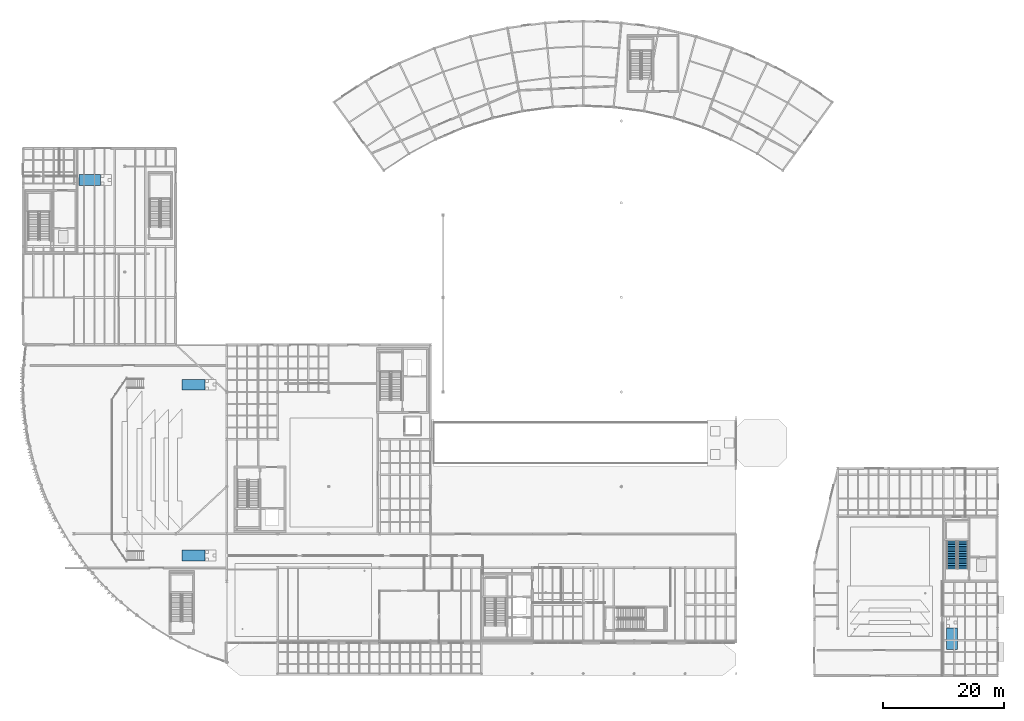
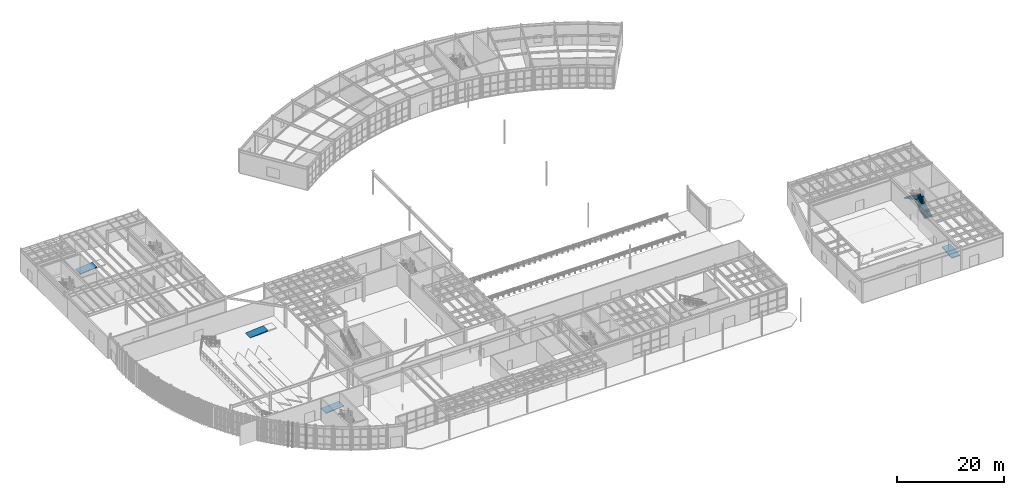
# One storey, part 72 of 87: 4 ramp flights, 2 stair flights, 5 elements without a shape of their own.
"""IFC4 building model written with IfcOpenShell, lengths in metres."""

import ifcopenshell
import ifcopenshell.guid

model = None  # the IFC model being written
_history = None  # IfcOwnerHistory: only IFC2X3 demands one
_inside = {}  # id of a spatial element -> (the spatial element, [elements in it])
_under = {}  # id of a project, library or spatial element -> (it, [spatial elements below it])
_declared = {}  # id of a project -> (the project, [libraries it declares])
_typed = {}  # id of a type object -> (the type object, [elements of that type])
_made_of = {}  # id of a material, layer set ... -> (it, [elements and type objects made of it])


def new_model(schema):
    """Start an empty IFC model of exactly this schema.

    Asked for "IFC4X3", IfcOpenShell would pick the latest addendum, in which some entities
    have other attributes; the version numbers below select the first issue.
    IFC2X3 requires an IfcOwnerHistory on every rooted entity: one is made here for all.
    """
    global model, _history
    if schema == "IFC4X3":
        model = ifcopenshell.file(schema_version=(4, 3, 0, 0))
    else:
        model = ifcopenshell.file(schema=schema)
    _inside.clear()
    _under.clear()
    _declared.clear()
    _typed.clear()
    _made_of.clear()
    _history = None
    if model.schema == "IFC2X3":
        org = make("IfcOrganization", Name="unknown")
        user = make(
            "IfcPersonAndOrganization",
            ThePerson=make("IfcPerson", FamilyName="unknown"),
            TheOrganization=org,
        )
        app = make(
            "IfcApplication",
            ApplicationDeveloper=org,
            Version="unknown",
            ApplicationFullName="unknown",
            ApplicationIdentifier="unknown",
        )
        _history = make(
            "IfcOwnerHistory",
            OwningUser=user,
            OwningApplication=app,
            ChangeAction="ADDED",
            CreationDate=0,
        )
    return model


def make(cls, **values):
    """One entity of the class cls with the attributes given. An attribute that is None is left unset."""
    return model.create_entity(
        cls, **{name: value for name, value in values.items() if value is not None}
    )


def rooted(cls, **values):
    """An entity with a GlobalId (a new one), such as an element, a storey or a relation."""
    return make(cls, GlobalId=ifcopenshell.guid.new(), OwnerHistory=_history, **values)


def si_unit(unit_type, name, prefix=None):
    """IfcSIUnit, for example si_unit("LENGTHUNIT", "METRE", prefix="MILLI")."""
    return make("IfcSIUnit", UnitType=unit_type, Prefix=prefix, Name=name)


def assignment(units):
    """IfcUnitAssignment: the units of a project."""
    return None if units is None else make("IfcUnitAssignment", Units=units)


def point(xyz):
    """IfcCartesianPoint."""
    return None if xyz is None else make("IfcCartesianPoint", Coordinates=xyz)


def direction(xyz):
    """IfcDirection."""
    return None if xyz is None else make("IfcDirection", DirectionRatios=xyz)


def frame(location, z_axis=None, x_axis=None):
    """IfcAxis2Placement3D, a coordinate frame: its origin and axes. An axis left out is left unset."""
    return make(
        "IfcAxis2Placement3D",
        Location=point(location),
        Axis=direction(z_axis),
        RefDirection=direction(x_axis),
    )


def origin():
    """The frame at (0, 0, 0) with its axes left unset."""
    return frame((0.0, 0.0, 0.0))


def place(relative_to, where):
    """IfcLocalPlacement: puts the frame where relative to a parent placement (None: the world)."""
    return make(
        "IfcLocalPlacement", PlacementRelTo=relative_to, RelativePlacement=where
    )


def context(
    kind, dimensions, precision=None, world=None, true_north=None, identifier=None
):
    """IfcGeometricRepresentationContext, for example the 3D "Model" context."""
    return make(
        "IfcGeometricRepresentationContext",
        ContextIdentifier=identifier,
        ContextType=kind,
        CoordinateSpaceDimension=dimensions,
        Precision=precision,
        WorldCoordinateSystem=world,
        TrueNorth=true_north,
    )


def subcontext(parent, identifier, kind, view, scale=None):
    """IfcGeometricRepresentationSubContext, for example "Body" below "Model"."""
    return make(
        "IfcGeometricRepresentationSubContext",
        ContextIdentifier=identifier,
        ContextType=kind,
        ParentContext=parent,
        TargetScale=scale,
        TargetView=view,
    )


def project(units=None, contexts=None):
    """IfcProject with its units and contexts."""
    return rooted(
        "IfcProject",
        Name="project",
        RepresentationContexts=contexts,
        UnitsInContext=assignment(units),
    )


def spatial(cls, under=None, at=None, **own):
    """A site, building, storey or space (cls), placed at a placement, below another one or the project."""
    s = rooted(cls, ObjectPlacement=at, **own)
    if under is not None:
        _under.setdefault(under.id(), (under, []))[1].append(s)
    return s


def polyline(points):
    """IfcPolyline through the points."""
    return make("IfcPolyline", Points=[point(p) for p in points])


def outline(outer, holes=None, kind="AREA"):
    """IfcArbitraryClosedProfileDef: a profile drawn as a closed curve; with holes, ...WithVoids."""
    if holes is None:
        return make("IfcArbitraryClosedProfileDef", ProfileType=kind, OuterCurve=outer)
    return make(
        "IfcArbitraryProfileDefWithVoids",
        ProfileType=kind,
        OuterCurve=outer,
        InnerCurves=holes,
    )


def extrude(swept, where, along, depth):
    """IfcExtrudedAreaSolid: the profile swept, set in the frame where, extruded along a direction by depth."""
    return make(
        "IfcExtrudedAreaSolid",
        SweptArea=swept,
        Position=where,
        ExtrudedDirection=direction(along),
        Depth=depth,
    )


def shape(context_of_items, identifier, shape_type, items):
    """IfcShapeRepresentation: the items that make up one representation, for example the "Body"."""
    return make(
        "IfcShapeRepresentation",
        ContextOfItems=context_of_items,
        RepresentationIdentifier=identifier,
        RepresentationType=shape_type,
        Items=items,
    )


def material(Name=None, Category=None):
    """IfcMaterial."""
    return make("IfcMaterial", Name=Name, Category=Category)


def layer(
    of_material, thickness, ventilated=None, Name=None, Category=None, Priority=None
):
    """IfcMaterialLayer: one layer of a wall or slab, of a material (None: an air gap)."""
    return make(
        "IfcMaterialLayer",
        Material=of_material,
        LayerThickness=thickness,
        IsVentilated=ventilated,
        Name=Name,
        Category=Category,
        Priority=Priority,
    )


def layer_set(layers, Name=None):
    """IfcMaterialLayerSet."""
    return make("IfcMaterialLayerSet", MaterialLayers=layers, LayerSetName=Name)


def made_of(thing, what):
    """Note that an element or type object is made of a material, layer set ...; save() writes the relation."""
    if what is not None:
        _made_of.setdefault(what.id(), (what, []))[1].append(thing)
    return thing


def type_object(cls, material=None, **own):
    """A type object (cls), such as IfcWallType, which elements share."""
    return made_of(rooted(cls, **own), material)


def element(
    cls,
    number,
    at=None,
    inside=None,
    cuts=None,
    type_object=None,
    material=None,
    context=None,
    identifier="Body",
    shape_type=None,
    held_by="IfcProductDefinitionShape",
    body=None,
    shapes=None,
    **own,
):
    """One element of the class cls, such as IfcWall. Its Tag is "e" and its number.

    at: its placement. inside: the storey or other place that contains it. cuts: it is an
    opening in that element (IfcRelVoidsElement). A single representation is given by context,
    identifier, shape_type and body (its items); several are given by shapes. held_by: the class
    of the entity that holds the representations. save() writes the other relations.
    """
    e = rooted(cls, Tag="e%d" % number, ObjectPlacement=at, **own)
    if body is not None:
        shapes = [shape(context, identifier, shape_type, body)]
    if shapes is not None:
        e.Representation = make(held_by, Representations=shapes)
    if inside is not None:
        _inside.setdefault(inside.id(), (inside, []))[1].append(e)
    if cuts is not None:
        rooted(
            "IfcRelVoidsElement", RelatingBuildingElement=cuts, RelatedOpeningElement=e
        )
    if type_object is not None:
        _typed.setdefault(type_object.id(), (type_object, []))[1].append(e)
    return made_of(e, material)


def aggregate(whole, parts):
    """IfcRelAggregates: a whole, such as a stair, and the parts it consists of."""
    return rooted("IfcRelAggregates", RelatingObject=whole, RelatedObjects=parts)


def save(model, path):
    """Write the relations noted so far, then the file.

    IfcRelAggregates (storeys below a building ...), IfcRelContainedInSpatialStructure (elements
    in a storey), IfcRelDefinesByType, IfcRelAssociatesMaterial and IfcRelDeclares: one each for
    every whole, place, type object, material and project.
    """
    for whole, parts in _under.values():
        aggregate(whole, parts)
    for where, things in _inside.values():
        rooted(
            "IfcRelContainedInSpatialStructure",
            RelatedElements=things,
            RelatingStructure=where,
        )
    for kind, things in _typed.values():
        rooted("IfcRelDefinesByType", RelatedObjects=things, RelatingType=kind)
    for what, things in _made_of.values():
        rooted("IfcRelAssociatesMaterial", RelatedObjects=things, RelatingMaterial=what)
    for by, libraries in _declared.values():
        rooted("IfcRelDeclares", RelatingContext=by, RelatedDefinitions=libraries)
    model.write(path)


model = new_model("IFC4")

# Units and contexts
model_context = context("Model", 3, precision=1e-05, world=origin(), true_north=direction((0.0, 1.0)))
body_context = subcontext(model_context, "Body", "Model", "MODEL_VIEW")
ifc_project = project(units=[si_unit("LENGTHUNIT", "METRE"), si_unit("AREAUNIT", "SQUARE_METRE"), si_unit("VOLUMEUNIT", "CUBIC_METRE"), si_unit("PLANEANGLEUNIT", "RADIAN"), si_unit("MASSUNIT", "GRAM", prefix="KILO")], contexts=[model_context])

# Site, building, storey
site_placement = place(None, origin())
site = spatial("IfcSite", under=ifc_project, at=site_placement, CompositionType="ELEMENT")
building_placement = place(site_placement, origin())
building = spatial("IfcBuilding", under=site, at=building_placement, Name="Selat Folded Stagehouse", CompositionType="ELEMENT")
storey_placement = place(building_placement, origin())
storey = spatial("IfcBuildingStorey", under=building, at=storey_placement, Name="L00", CompositionType="ELEMENT", Elevation=0.0)

# Stair, stair flights
ifc_material = material(Name="Concrete C40/50", Category="concrete")
stair_type = type_object("IfcStairType", Name="STR-DOG-1680-34R", PredefinedType="HALF_TURN_STAIR", material=ifc_material)
stair_placement = place(storey_placement, origin())
stair = element("IfcStair", 1, at=stair_placement, inside=storey, type_object=stair_type, Name="L00 Core 4 Studio East Core", PredefinedType="HALF_TURN_STAIR")
stair_flight_type = type_object("IfcStairFlightType", Name="STF-STR-1680-17R", PredefinedType="STRAIGHT", material=ifc_material)
stair_flight_1_placement = place(storey_placement, frame((155.0400390625, 17.6298828125, 0.0), z_axis=(0.0, 0.0, 1.0), x_axis=(0.0, 1.0, 0.0)))
stair_flight_1 = element("IfcStairFlight", 2, at=stair_flight_1_placement, type_object=stair_flight_type, Name="ST-1680-34R flight 1", NumberOfRisers=17, NumberOfTreads=16, PredefinedType="STRAIGHT", RiserHeight=0.158823529, TreadLength=0.285, context=body_context, shape_type="SweptSolid", body=[
    extrude(outline(polyline([(0.0, 0.0), (0.0, 0.158935546875), (0.284912109375, 0.158935546875), (0.284912109375, 0.317626953125), (0.570068359375, 0.317626953125), (0.570068359375, 0.4765625), (0.85498046875, 0.4765625), (0.85498046875, 0.63525390625), (1.139892578125, 0.63525390625), (1.139892578125, 0.794189453125), (1.425048828125, 0.794189453125), (1.425048828125, 0.952880859375), (1.7099609375, 0.952880859375), (1.7099609375, 1.11181640625), (1.9951171875, 1.11181640625), (1.9951171875, 1.2705078125), (2.280029296875, 1.2705078125), (2.280029296875, 1.429443359375), (2.56494140625, 1.429443359375), (2.56494140625, 1.588134765625), (2.85009765625, 1.588134765625), (2.85009765625, 1.7470703125), (3.135009765625, 1.7470703125), (3.135009765625, 1.90576171875), (3.419921875, 1.90576171875), (3.419921875, 2.064697265625), (3.705078125, 2.064697265625), (3.705078125, 2.2236328125), (3.989990234375, 2.2236328125), (3.989990234375, 2.38232421875), (4.27490234375, 2.38232421875), (4.27490234375, 2.541259765625), (4.56005859375, 2.541259765625), (4.56005859375, 2.699951171875), (4.56005859375, 2.358154296875), (0.32861328125, 0.0), (0.0, 0.0)])), frame((0.0, 0.83984375, 0.0), z_axis=(0.0, -1.0, 0.0), x_axis=(1.0, 0.0, 0.0)), (0.0, 0.0, 1.0), 1.679931640625),
])
stair_flight_2_placement = place(storey_placement, frame((153.199951171875, 22.18994140625, 2.699951171875), z_axis=(0.0, 0.0, 1.0), x_axis=(0.0, -1.0, 0.0)))
stair_flight_2 = element("IfcStairFlight", 3, at=stair_flight_2_placement, type_object=stair_flight_type, Name="ST-1680-34R flight 2", NumberOfRisers=17, NumberOfTreads=16, PredefinedType="STRAIGHT", RiserHeight=0.158823529, TreadLength=0.285, context=body_context, shape_type="SweptSolid", body=[
    extrude(outline(polyline([(0.0, 0.0), (0.0, 0.158935546875), (0.284912109375, 0.158935546875), (0.284912109375, 0.317626953125), (0.570068359375, 0.317626953125), (0.570068359375, 0.4765625), (0.85498046875, 0.4765625), (0.85498046875, 0.63525390625), (1.139892578125, 0.63525390625), (1.139892578125, 0.794189453125), (1.425048828125, 0.794189453125), (1.425048828125, 0.952880859375), (1.7099609375, 0.952880859375), (1.7099609375, 1.11181640625), (1.9951171875, 1.11181640625), (1.9951171875, 1.2705078125), (2.280029296875, 1.2705078125), (2.280029296875, 1.429443359375), (2.56494140625, 1.429443359375), (2.56494140625, 1.588134765625), (2.85009765625, 1.588134765625), (2.85009765625, 1.7470703125), (3.135009765625, 1.7470703125), (3.135009765625, 1.90576171875), (3.419921875, 1.90576171875), (3.419921875, 2.064697265625), (3.705078125, 2.064697265625), (3.705078125, 2.2236328125), (3.989990234375, 2.2236328125), (3.989990234375, 2.38232421875), (4.27490234375, 2.38232421875), (4.27490234375, 2.541259765625), (4.56005859375, 2.541259765625), (4.56005859375, 2.699951171875), (4.56005859375, 2.358154296875), (0.32861328125, 0.0), (0.0, 0.0)])), frame((0.0, 0.83984375, 0.0), z_axis=(0.0, -1.0, 0.0), x_axis=(1.0, 0.0, 0.0)), (0.0, 0.0, 1.0), 1.679931640625),
])
aggregate(stair, [stair_flight_1, stair_flight_2])

# Ramp, ramp flight
ramp_type = type_object("IfcRampType", Name="RMP-ACC-1800", PredefinedType="STRAIGHT_RUN_RAMP", material=ifc_material)
ramp_1_placement = place(storey_placement, origin())
ramp_1 = element("IfcRamp", 4, at=ramp_1_placement, inside=storey, type_object=ramp_type, Name="Main Theatre South Stalls Accessible Ramp", PredefinedType="STRAIGHT_RUN_RAMP")
ifc_layer = layer(ifc_material, 0.199951171875)
ifc_layer_set = layer_set([ifc_layer], Name="Concrete C40/50")
ramp_flight_type = type_object("IfcRampFlightType", Name="RMPF-ACC-1800", PredefinedType="STRAIGHT", material=ifc_layer_set)
ramp_flight_1_placement = place(storey_placement, frame((26.199951171875, 19.800048828125, 0.0), z_axis=(0.0, 0.0, 1.0), x_axis=(1.0, 0.0, 0.0)))
ramp_flight_1 = element("IfcRampFlight", 5, at=ramp_flight_1_placement, type_object=ramp_flight_type, Name="Main Theatre South Stalls Accessible Ramp flight 1", PredefinedType="STRAIGHT", context=body_context, shape_type="SweptSolid", body=[
    extrude(outline(polyline([(0.0, 0.0), (3.840087890625, 0.320068359375), (3.840087890625, 0.119384765625), (0.0, -0.20068359375), (0.0, 0.0)])), frame((0.0, 0.89990234375, 0.0), z_axis=(0.0, -1.0, 0.0), x_axis=(1.0, 0.0, 0.0)), (0.0, 0.0, 1.0), 1.800048828125),
])
aggregate(ramp_1, [ramp_flight_1])

ramp_2_placement = place(storey_placement, origin())
ramp_2 = element("IfcRamp", 6, at=ramp_2_placement, inside=storey, type_object=ramp_type, Name="Main Theatre North Stalls Accessible Ramp", PredefinedType="STRAIGHT_RUN_RAMP")
ramp_flight_2_placement = place(storey_placement, frame((26.199951171875, 48.0, 0.0), z_axis=(0.0, 0.0, 1.0), x_axis=(1.0, 0.0, 0.0)))
ramp_flight_2 = element("IfcRampFlight", 7, at=ramp_flight_2_placement, type_object=ramp_flight_type, Name="Main Theatre North Stalls Accessible Ramp flight 1", PredefinedType="STRAIGHT", context=body_context, shape_type="SweptSolid", body=[
    extrude(outline(polyline([(0.0, 0.0), (3.840087890625, 0.320068359375), (3.840087890625, 0.119384765625), (0.0, -0.20068359375), (0.0, 0.0)])), frame((0.0, 0.89990234375, 0.0), z_axis=(0.0, -1.0, 0.0), x_axis=(1.0, 0.0, 0.0)), (0.0, 0.0, 1.0), 1.800048828125),
])
aggregate(ramp_2, [ramp_flight_2])

ramp_3_placement = place(storey_placement, origin())
ramp_3 = element("IfcRamp", 8, at=ramp_3_placement, inside=storey, type_object=ramp_type, Name="Studio Theatre Accessible Entry Ramp", PredefinedType="STRAIGHT_RUN_RAMP")
ramp_flight_3_placement = place(storey_placement, frame((153.199951171875, 4.300048828125, 0.0), z_axis=(0.0, 0.0, 1.0), x_axis=(0.0, 1.0, 0.0)))
ramp_flight_3 = element("IfcRampFlight", 9, at=ramp_flight_3_placement, type_object=ramp_flight_type, Name="Studio Theatre Accessible Entry Ramp flight 1", PredefinedType="STRAIGHT", context=body_context, shape_type="SweptSolid", body=[
    extrude(outline(polyline([(0.0, 0.0), (3.599853515625, 0.300048828125), (3.599853515625, 0.099365234375), (0.0, -0.20068359375), (0.0, 0.0)])), frame((0.0, 0.89990234375, 0.0), z_axis=(0.0, -1.0, 0.0), x_axis=(1.0, 0.0, 0.0)), (0.0, 0.0, 1.0), 1.800048828125),
])
aggregate(ramp_3, [ramp_flight_3])

ramp_4_placement = place(storey_placement, origin())
ramp_4 = element("IfcRamp", 10, at=ramp_4_placement, inside=storey, type_object=ramp_type, Name="Black-Box Workshop Threshold Ramp", PredefinedType="STRAIGHT_RUN_RAMP")
ramp_flight_4_placement = place(storey_placement, frame((9.199951171875, 81.800048828125, 0.0), z_axis=(0.0, 0.0, 1.0), x_axis=(1.0, 0.0, 0.0)))
ramp_flight_4 = element("IfcRampFlight", 11, at=ramp_flight_4_placement, type_object=ramp_flight_type, Name="Black-Box Workshop Threshold Ramp flight 1", PredefinedType="STRAIGHT", context=body_context, shape_type="SweptSolid", body=[
    extrude(outline(polyline([(0.0, 0.0), (3.60009765625, 0.280029296875), (3.60009765625, 0.07958984375), (0.0, -0.200439453125), (0.0, 0.0)])), frame((0.0, 0.89990234375, 0.0), z_axis=(0.0, -1.0, 0.0), x_axis=(1.0, 0.0, 0.0)), (0.0, 0.0, 1.0), 1.800048828125),
])
aggregate(ramp_4, [ramp_flight_4])

save(model, "model.ifc")
